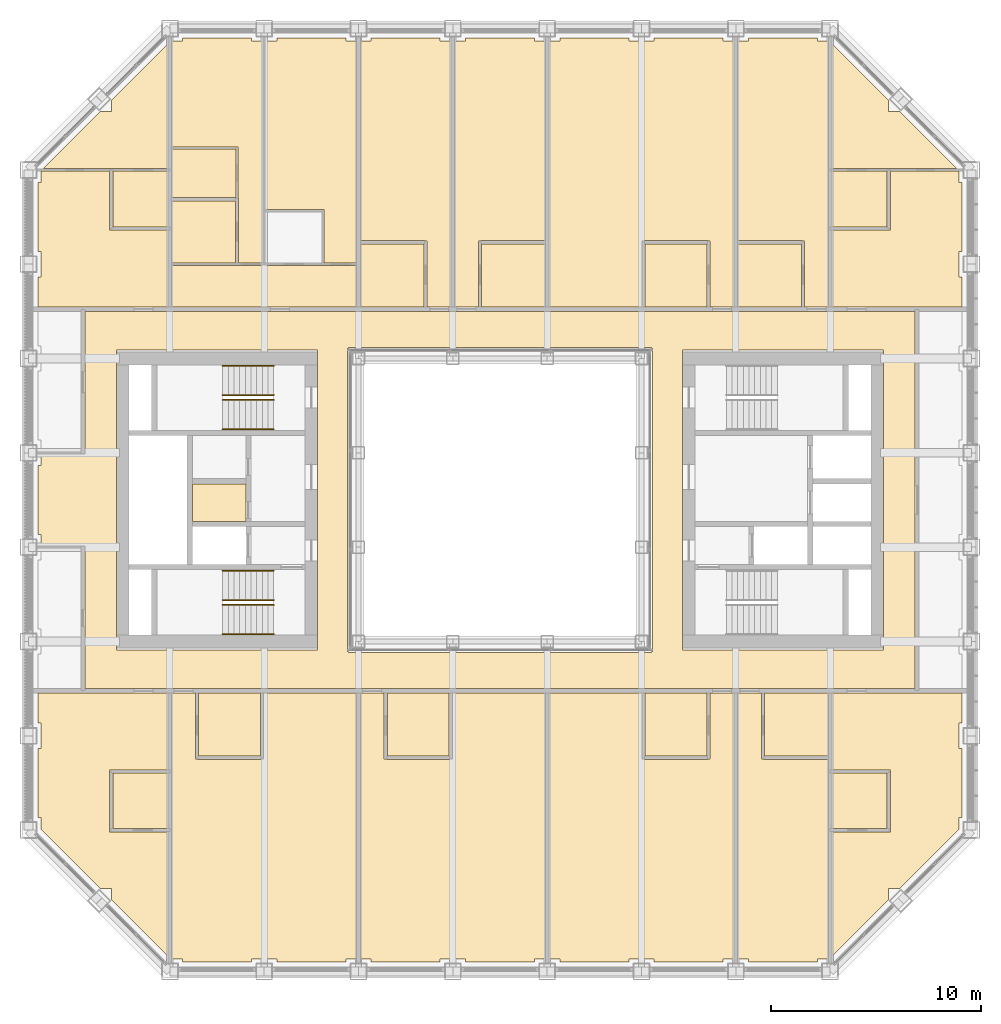
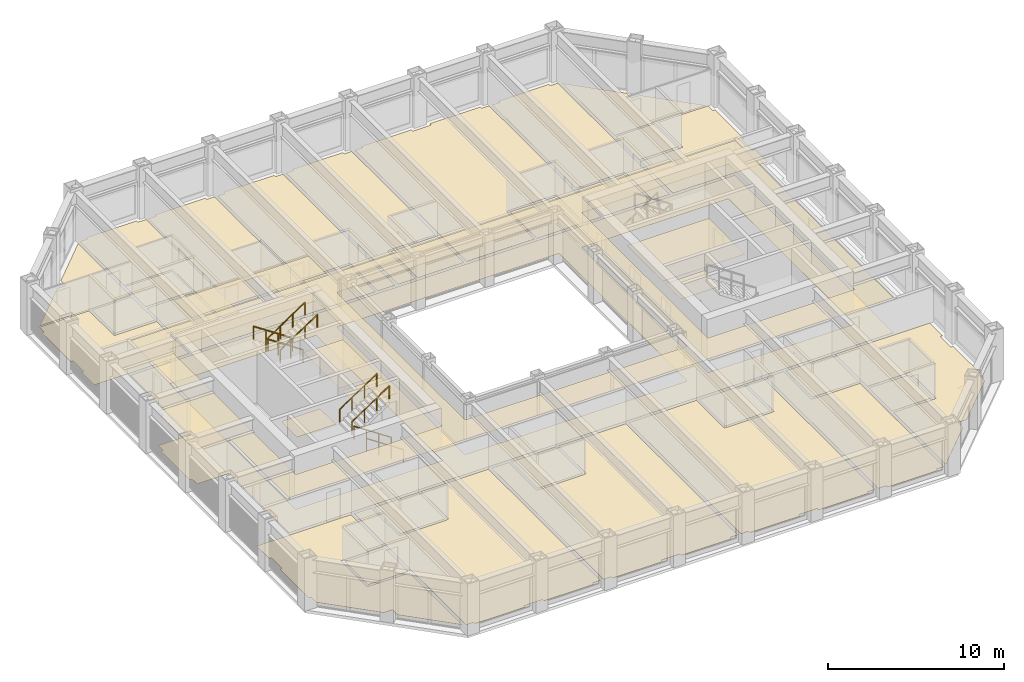
# One storey, part 15 of 17: 8 railings, 4 coverings.
"""IFC4 building model written with IfcOpenShell, lengths in metres."""

from ifc_helpers import new_model, si_unit, direction, frame, origin, origin_2d, place, context, subcontext, project, spatial, line, indexed_curve, circle, outline, extrude, material, layer, layer_set, type_object, element, save


model = new_model("IFC4")

# Units and contexts
model_context = context("Model", 3, precision=1e-05, world=origin(), true_north=direction((0.0, 1.0)))
body_context = subcontext(model_context, "Body", "Model", "MODEL_VIEW")
ifc_project = project(units=[si_unit("LENGTHUNIT", "METRE"), si_unit("AREAUNIT", "SQUARE_METRE"), si_unit("VOLUMEUNIT", "CUBIC_METRE"), si_unit("PLANEANGLEUNIT", "RADIAN"), si_unit("MASSUNIT", "GRAM", prefix="KILO")], contexts=[model_context])

# Site, building, storey
site_placement = place(None, origin())
site = spatial("IfcSite", under=ifc_project, at=site_placement, CompositionType="ELEMENT")
building_placement = place(site_placement, origin())
building = spatial("IfcBuilding", under=site, at=building_placement, Name="Msasa Ring Tower", CompositionType="ELEMENT")
storey_placement = place(building_placement, frame((0.0, 0.0, 176.0)))
storey = spatial("IfcBuildingStorey", under=building, at=storey_placement, Name="L46", CompositionType="ELEMENT", Elevation=176.0)

# Coverings
ifc_material_1 = material(Name="Gypsum plasterboard on a steel suspension grid", Category="steel")
ifc_layer_1 = layer(ifc_material_1, 0.014892578125)
ifc_layer_set_1 = layer_set([ifc_layer_1], Name="C1 SUSPENDED PLASTERBOARD CEILING 15")
covering_type_1 = type_object("IfcCoveringType", Name="C1 SUSPENDED PLASTERBOARD CEILING 15", PredefinedType="CEILING", material=ifc_layer_set_1)
covering_1_placement = place(storey_placement, frame((0.0, 0.0, 2.39990234375)))
element("IfcCovering", 1, at=covering_1_placement, inside=storey, type_object=covering_type_1, Name="Suspended Plasterboard Ceiling 15 circulation L46", PredefinedType="CEILING", context=body_context, shape_type="SweptSolid", body=[
    extrude(outline(indexed_curve([(-22.049560546875, 1.6494140625), (-21.8994140625, 1.6494140625), (-21.8994140625, 2.199462890625), (-19.799560546875, 2.199462890625), (-19.799560546875, 8.99951171875), (19.799560546875, 8.99951171875), (19.799560546875, -8.99951171875), (-19.799560546875, -8.99951171875), (-19.799560546875, -2.199462890625), (-21.8994140625, -2.199462890625), (-21.8994140625, -1.6494140625), (-22.049560546875, -1.6494140625)], segments=[line(1, 2, 3, 4, 5, 6, 7, 8, 9, 10, 11, 12, 1)], self_intersect=False), holes=[indexed_curve([(8.699462890625, -7.150390625), (18.300537109375, -7.150390625), (18.300537109375, 7.150390625), (8.699462890625, 7.150390625)], segments=[line(1, 2, 3, 4, 1)], self_intersect=False), indexed_curve([(-18.300537109375, 7.150390625), (-18.300537109375, -7.150390625), (-8.699462890625, -7.150390625), (-8.699462890625, 7.150390625)], segments=[line(1, 2, 3, 4, 1)], self_intersect=False), indexed_curve([(-7.280517578125, 7.23046875), (-7.280517578125, -7.23046875), (-7.22998046875, -7.23046875), (-7.22998046875, -7.280029296875), (7.22998046875, -7.280029296875), (7.22998046875, -7.23046875), (7.280517578125, -7.23046875), (7.280517578125, 7.23046875), (7.22998046875, 7.23046875), (7.22998046875, 7.280029296875), (-7.22998046875, 7.280029296875), (-7.22998046875, 7.23046875)], segments=[line(1, 2, 3, 4, 5, 6, 7, 8, 9, 10, 11, 12, 1)], self_intersect=False)]), origin(), (0.0, 0.0, 1.0), 0.01513671875),
    extrude(outline(indexed_curve([(-15.6494140625, 9.200439453125), (-15.6494140625, 11.199462890625), (-6.8505859375, 11.199462890625), (-6.8505859375, 9.200439453125)], segments=[line(1, 2, 3, 4, 1)], self_intersect=False)), origin(), (0.0, 0.0, 1.0), 0.01513671875),
    extrude(outline(indexed_curve([(-9.300537109375, -3.074462890625), (-11.87451171875, -3.074462890625), (-11.87451171875, -1.275390625), (-9.300537109375, -1.275390625)], segments=[line(1, 2, 3, 4, 1)], self_intersect=False)), origin(), (0.0, 0.0, 1.0), 0.01513671875),
    extrude(outline(indexed_curve([(-9.300537109375, -1.0244140625), (-11.87451171875, -1.0244140625), (-11.87451171875, 3.074462890625), (-9.300537109375, 3.074462890625)], segments=[line(1, 2, 3, 4, 1)], self_intersect=False)), origin(), (0.0, 0.0, 1.0), 0.01513671875),
    extrude(outline(indexed_curve([(9.300537109375, -3.074462890625), (9.300537109375, -1.275390625), (11.87451171875, -1.275390625), (11.87451171875, -3.074462890625)], segments=[line(1, 2, 3, 4, 1)], self_intersect=False)), origin(), (0.0, 0.0, 1.0), 0.01513671875),
    extrude(outline(indexed_curve([(9.300537109375, -1.0244140625), (9.300537109375, 3.074462890625), (14.674560546875, 3.074462890625), (14.674560546875, -1.0244140625)], segments=[line(1, 2, 3, 4, 1)], self_intersect=False)), origin(), (0.0, 0.0, 1.0), 0.01513671875),
])
ifc_material_2 = material(Name="Wool-blend carpet on felt underlay", Category="textile")
ifc_layer_2 = layer(ifc_material_2, 0.011962890625)
ifc_layer_set_2 = layer_set([ifc_layer_2], Name="F2 CARPET ON UNDERLAY 12")
covering_type_2 = type_object("IfcCoveringType", Name="F2 CARPET ON UNDERLAY 12", PredefinedType="FLOORING", material=ifc_layer_set_2)
covering_2_placement = place(storey_placement, origin())
element("IfcCovering", 2, at=covering_2_placement, inside=storey, type_object=covering_type_2, Name="Carpet On Underlay 12 L46", PredefinedType="FLOORING", context=body_context, shape_type="SweptSolid", body=[
    extrude(outline(indexed_curve([(-19.799560546875, 2.199951171875), (-19.799560546875, 8.99951171875), (19.799560546875, 8.99951171875), (19.799560546875, -8.99951171875), (-19.799560546875, -8.99951171875), (-19.799560546875, -2.199462890625), (-21.8994140625, -2.199462890625), (-21.8994140625, -1.6494140625), (-22.049560546875, -1.6494140625), (-22.049560546875, 1.6494140625), (-21.8994140625, 1.6494140625), (-21.8994140625, 2.199462890625)], segments=[line(1, 2, 3, 4, 5, 6, 7, 8, 9, 10, 11, 12, 1)], self_intersect=False), holes=[indexed_curve([(18.300537109375, -7.150390625), (18.300537109375, 7.150390625), (8.699462890625, 7.150390625), (8.699462890625, -7.150390625)], segments=[line(1, 2, 3, 4, 1)], self_intersect=False), indexed_curve([(-8.699462890625, -7.150390625), (-8.699462890625, 7.150390625), (-18.300537109375, 7.150390625), (-18.300537109375, -7.150390625)], segments=[line(1, 2, 3, 4, 1)], self_intersect=False), indexed_curve([(-7.280517578125, 7.23046875), (-7.280517578125, -7.23046875), (-7.22998046875, -7.23046875), (-7.22998046875, -7.280029296875), (7.22998046875, -7.280029296875), (7.22998046875, -7.23046875), (7.280517578125, -7.23046875), (7.280517578125, 7.23046875), (7.22998046875, 7.23046875), (7.22998046875, 7.280029296875), (-7.22998046875, 7.280029296875), (-7.22998046875, 7.23046875)], segments=[line(1, 2, 3, 4, 5, 6, 7, 8, 9, 10, 11, 12, 1)], self_intersect=False)]), origin(), (0.0, 0.0, 1.0), 0.011962890625),
    extrude(outline(indexed_curve([(-15.8505859375, 9.200439453125), (-22.049560546875, 9.200439453125), (-22.049560546875, 10.6494140625), (-21.8994140625, 10.6494140625), (-21.8994140625, 11.8505859375), (-22.049560546875, 11.8505859375), (-22.049560546875, 15.1494140625), (-21.8994140625, 15.1494140625), (-21.8994140625, 15.694580078125), (-18.630615234375, 15.694580078125), (-18.630615234375, 12.869384765625), (-15.8505859375, 12.869384765625)], segments=[line(1, 2, 3, 4, 5, 6, 7, 8, 9, 10, 11, 12, 1)], self_intersect=False)), origin(), (0.0, 0.0, 1.0), 0.011962890625),
    extrude(outline(indexed_curve([(-19.08837890625, 18.5244140625), (-18.5244140625, 18.5244140625), (-18.5244140625, 19.08837890625), (-15.8505859375, 21.762451171875), (-15.8505859375, 15.805419921875), (-21.807373046875, 15.805419921875)], segments=[line(1, 2, 3, 4, 5, 6, 1)], self_intersect=False)), origin(), (0.0, 0.0, 1.0), 0.011962890625),
    extrude(outline(indexed_curve([(-11.8505859375, 22.049560546875), (-11.8505859375, 21.8994140625), (-11.310546875, 21.8994140625), (-11.310546875, 11.300537109375), (-12.474609375, 11.300537109375), (-12.474609375, 14.39990234375), (-12.49951171875, 14.39990234375), (-12.49951171875, 16.8505859375), (-15.662109375, 16.8505859375), (-15.662109375, 21.8994140625), (-15.1494140625, 21.8994140625), (-15.1494140625, 22.049560546875)], segments=[line(1, 2, 3, 4, 5, 6, 7, 8, 9, 10, 11, 12, 1)], self_intersect=False)), origin(), (0.0, 0.0, 1.0), 0.011962890625),
    extrude(outline(indexed_curve([(-12.6005859375, 16.744384765625), (-12.6005859375, 14.430419921875), (-15.662109375, 14.430419921875), (-15.662109375, 16.744384765625)], segments=[line(1, 2, 3, 4, 1)], self_intersect=False)), origin(), (0.0, 0.0, 1.0), 0.011962890625),
    extrude(outline(indexed_curve([(-15.6494140625, 11.199462890625), (-6.8505859375, 11.199462890625), (-6.8505859375, 9.200439453125), (-15.6494140625, 9.200439453125)], segments=[line(1, 2, 3, 4, 1)], self_intersect=False)), origin(), (0.0, 0.0, 1.0), 0.011962890625),
    extrude(outline(indexed_curve([(-8.3994140625, 11.300537109375), (-8.3994140625, 13.8505859375), (-11.189453125, 13.8505859375), (-11.189453125, 21.8994140625), (-10.6494140625, 21.8994140625), (-10.6494140625, 22.049560546875), (-7.3505859375, 22.049560546875), (-7.3505859375, 21.8994140625), (-6.837890625, 21.8994140625), (-6.837890625, 11.300537109375)], segments=[line(1, 2, 3, 4, 5, 6, 7, 8, 9, 10, 1)], self_intersect=False)), origin(), (0.0, 0.0, 1.0), 0.011962890625),
    extrude(outline(indexed_curve([(-2.8505859375, 22.049560546875), (-2.8505859375, 21.8994140625), (-2.3505859375, 21.8994140625), (-2.3505859375, 9.200439453125), (-3.474609375, 9.200439453125), (-3.474609375, 12.35009765625), (-3.60009765625, 12.3505859375), (-3.60009765625, 12.37548828125), (-6.6494140625, 12.37548828125), (-6.6494140625, 21.8994140625), (-6.1494140625, 21.8994140625), (-6.1494140625, 22.049560546875)], segments=[line(1, 2, 3, 4, 5, 6, 7, 8, 9, 10, 11, 12, 1)], self_intersect=False)), origin(), (0.0, 0.0, 1.0), 0.011962890625),
    extrude(outline(indexed_curve([(-2.1494140625, 21.8994140625), (-1.6494140625, 21.8994140625), (-1.6494140625, 22.049560546875), (1.6494140625, 22.049560546875), (1.6494140625, 21.8994140625), (2.1494140625, 21.8994140625), (2.1494140625, 12.37548828125), (-0.89990234375, 12.37548828125), (-0.89990234375, 12.3505859375), (-1.025390625, 12.35009765625), (-1.025390625, 9.200439453125), (-2.1494140625, 9.200439453125)], segments=[line(1, 2, 3, 4, 5, 6, 7, 8, 9, 10, 11, 12, 1)], self_intersect=False)), origin(), (0.0, 0.0, 1.0), 0.011962890625),
    extrude(outline(indexed_curve([(11.8505859375, -22.049560546875), (11.8505859375, -21.8994140625), (11.3505859375, -21.8994140625), (11.3505859375, -9.200439453125), (12.474609375, -9.200439453125), (12.474609375, -12.35009765625), (12.60009765625, -12.3505859375), (12.60009765625, -12.37548828125), (15.6494140625, -12.37548828125), (15.6494140625, -21.8994140625), (15.1494140625, -21.8994140625), (15.1494140625, -22.049560546875)], segments=[line(1, 2, 3, 4, 5, 6, 7, 8, 9, 10, 11, 12, 1)], self_intersect=False)), origin(), (0.0, 0.0, 1.0), 0.011962890625),
    extrude(outline(indexed_curve([(15.6494140625, 9.200439453125), (14.525390625, 9.200439453125), (14.525390625, 12.35009765625), (14.39990234375, 12.3505859375), (14.39990234375, 12.37548828125), (11.3505859375, 12.37548828125), (11.3505859375, 21.8994140625), (11.8505859375, 21.8994140625), (11.8505859375, 22.049560546875), (15.1494140625, 22.049560546875), (15.1494140625, 21.8994140625), (15.6494140625, 21.8994140625)], segments=[line(1, 2, 3, 4, 5, 6, 7, 8, 9, 10, 11, 12, 1)], self_intersect=False)), origin(), (0.0, 0.0, 1.0), 0.011962890625),
    extrude(outline(indexed_curve([(22.049560546875, 11.8505859375), (21.8994140625, 11.8505859375), (21.8994140625, 10.6494140625), (22.049560546875, 10.6494140625), (22.049560546875, 9.200439453125), (15.8505859375, 9.200439453125), (15.8505859375, 12.869384765625), (18.630615234375, 12.869384765625), (18.630615234375, 15.694580078125), (21.8994140625, 15.694580078125), (21.8994140625, 15.1494140625), (22.049560546875, 15.1494140625)], segments=[line(1, 2, 3, 4, 5, 6, 7, 8, 9, 10, 11, 12, 1)], self_intersect=False)), origin(), (0.0, 0.0, 1.0), 0.011962890625),
    extrude(outline(indexed_curve([(15.8505859375, 15.805419921875), (15.8505859375, 21.762451171875), (18.5244140625, 19.08837890625), (18.5244140625, 18.5244140625), (19.08837890625, 18.5244140625), (21.807373046875, 15.805419921875)], segments=[line(1, 2, 3, 4, 5, 6, 1)], self_intersect=False)), origin(), (0.0, 0.0, 1.0), 0.011962890625),
])
ifc_material_3 = material(Name="Engineered oak boards on an acoustic underlay", Category="wood")
ifc_layer_3 = layer(ifc_material_3, 0.01806640625)
ifc_layer_set_3 = layer_set([ifc_layer_3], Name="F3 ENGINEERED TIMBER ON ACOUSTIC UNDERLAY 18")
covering_type_3 = type_object("IfcCoveringType", Name="F3 ENGINEERED TIMBER ON ACOUSTIC UNDERLAY 18", PredefinedType="FLOORING", material=ifc_layer_set_3)
covering_3_placement = place(storey_placement, origin())
element("IfcCovering", 3, at=covering_3_placement, inside=storey, type_object=covering_type_3, Name="Engineered Timber On Acoustic Underlay 18 L46", PredefinedType="FLOORING", context=body_context, shape_type="SweptSolid", body=[
    extrude(outline(indexed_curve([(-15.8505859375, -15.83056640625), (-15.8505859375, -21.762451171875), (-18.5244140625, -19.08837890625), (-18.5244140625, -18.5244140625), (-19.08837890625, -18.5244140625), (-21.8994140625, -15.71337890625), (-21.8994140625, -15.1494140625), (-22.049560546875, -15.1494140625), (-22.049560546875, -11.8505859375), (-21.8994140625, -11.8505859375), (-21.8994140625, -10.6494140625), (-22.049560546875, -10.6494140625), (-22.049560546875, -9.200439453125), (-15.8505859375, -9.200439453125), (-15.8505859375, -12.869384765625), (-18.630615234375, -12.869384765625), (-18.630615234375, -15.83056640625)], segments=[line(1, 2, 3, 4, 5, 6, 7, 8, 9, 10, 11, 12, 13, 14, 15, 16, 17, 1)], self_intersect=False)), origin(), (0.0, 0.0, 1.0), 0.01806640625),
    extrude(outline(indexed_curve([(-14.525390625, -9.200439453125), (-14.525390625, -12.35009765625), (-14.39990234375, -12.3505859375), (-14.39990234375, -12.37548828125), (-11.39990234375, -12.37548828125), (-11.39990234375, -12.3505859375), (-11.2744140625, -12.35009765625), (-11.2744140625, -9.200439453125), (-6.8505859375, -9.200439453125), (-6.8505859375, -21.8994140625), (-7.3505859375, -21.8994140625), (-7.3505859375, -22.049560546875), (-10.6494140625, -22.049560546875), (-10.6494140625, -21.8994140625), (-11.8505859375, -21.8994140625), (-11.8505859375, -22.049560546875), (-15.1494140625, -22.049560546875), (-15.1494140625, -21.8994140625), (-15.6494140625, -21.8994140625), (-15.6494140625, -9.200439453125)], segments=[line(1, 2, 3, 4, 5, 6, 7, 8, 9, 10, 11, 12, 13, 14, 15, 16, 17, 18, 19, 20, 1)], self_intersect=False)), origin(), (0.0, 0.0, 1.0), 0.01806640625),
    extrude(outline(indexed_curve([(-5.39990234375, -12.3505859375), (-5.39990234375, -12.37548828125), (-2.39990234375, -12.37548828125), (-2.39990234375, -12.3505859375), (-2.2744140625, -12.35009765625), (-2.2744140625, -9.200439453125), (2.1494140625, -9.200439453125), (2.1494140625, -21.8994140625), (1.6494140625, -21.8994140625), (1.6494140625, -22.049560546875), (-1.6494140625, -22.049560546875), (-1.6494140625, -21.8994140625), (-2.8505859375, -21.8994140625), (-2.8505859375, -22.049560546875), (-6.1494140625, -22.049560546875), (-6.1494140625, -21.8994140625), (-6.6494140625, -21.8994140625), (-6.6494140625, -9.200439453125), (-5.525390625, -9.200439453125), (-5.525390625, -12.35009765625)], segments=[line(1, 2, 3, 4, 5, 6, 7, 8, 9, 10, 11, 12, 13, 14, 15, 16, 17, 18, 19, 20, 1)], self_intersect=False)), origin(), (0.0, 0.0, 1.0), 0.01806640625),
    extrude(outline(indexed_curve([(6.89990234375, -12.3505859375), (6.89990234375, -12.37548828125), (9.89990234375, -12.37548828125), (9.89990234375, -12.3505859375), (10.025390625, -12.35009765625), (10.025390625, -9.200439453125), (11.1494140625, -9.200439453125), (11.1494140625, -21.8994140625), (10.6494140625, -21.8994140625), (10.6494140625, -22.049560546875), (7.3505859375, -22.049560546875), (7.3505859375, -21.8994140625), (6.1494140625, -21.8994140625), (6.1494140625, -22.049560546875), (2.8505859375, -22.049560546875), (2.8505859375, -21.8994140625), (2.3505859375, -21.8994140625), (2.3505859375, -9.200439453125), (6.7744140625, -9.200439453125), (6.7744140625, -12.35009765625)], segments=[line(1, 2, 3, 4, 5, 6, 7, 8, 9, 10, 11, 12, 13, 14, 15, 16, 17, 18, 19, 20, 1)], self_intersect=False)), origin(), (0.0, 0.0, 1.0), 0.01806640625),
    extrude(outline(indexed_curve([(9.89990234375, 12.3505859375), (9.89990234375, 12.37548828125), (6.89990234375, 12.37548828125), (6.89990234375, 12.3505859375), (6.7744140625, 12.35009765625), (6.7744140625, 9.200439453125), (2.3505859375, 9.200439453125), (2.3505859375, 21.8994140625), (2.8505859375, 21.8994140625), (2.8505859375, 22.049560546875), (6.1494140625, 22.049560546875), (6.1494140625, 21.8994140625), (7.3505859375, 21.8994140625), (7.3505859375, 22.049560546875), (10.6494140625, 22.049560546875), (10.6494140625, 21.8994140625), (11.1494140625, 21.8994140625), (11.1494140625, 9.200439453125), (10.025390625, 9.200439453125), (10.025390625, 12.35009765625)], segments=[line(1, 2, 3, 4, 5, 6, 7, 8, 9, 10, 11, 12, 13, 14, 15, 16, 17, 18, 19, 20, 1)], self_intersect=False)), origin(), (0.0, 0.0, 1.0), 0.01806640625),
    extrude(outline(indexed_curve([(18.630615234375, -12.869384765625), (15.8505859375, -12.869384765625), (15.8505859375, -9.200439453125), (22.049560546875, -9.200439453125), (22.049560546875, -10.6494140625), (21.8994140625, -10.6494140625), (21.8994140625, -11.8505859375), (22.049560546875, -11.8505859375), (22.049560546875, -15.1494140625), (21.8994140625, -15.1494140625), (21.8994140625, -15.71337890625), (19.08837890625, -18.5244140625), (18.5244140625, -18.5244140625), (18.5244140625, -19.08837890625), (15.8505859375, -21.762451171875), (15.8505859375, -15.83056640625), (18.630615234375, -15.83056640625)], segments=[line(1, 2, 3, 4, 5, 6, 7, 8, 9, 10, 11, 12, 13, 14, 15, 16, 17, 1)], self_intersect=False)), origin(), (0.0, 0.0, 1.0), 0.01806640625),
])
ifc_material_4 = material(Name="Porcelain floor tiles in adhesive", Category="ceramic")
ifc_layer_4 = layer(ifc_material_4, 0.010009765625)
ifc_layer_set_4 = layer_set([ifc_layer_4], Name="F4 PORCELAIN TILE ON ADHESIVE 10")
covering_type_4 = type_object("IfcCoveringType", Name="F4 PORCELAIN TILE ON ADHESIVE 10", PredefinedType="FLOORING", material=ifc_layer_set_4)
covering_4_placement = place(storey_placement, origin())
element("IfcCovering", 4, at=covering_4_placement, inside=storey, type_object=covering_type_4, Name="Porcelain Tile On Adhesive 10 L46", PredefinedType="FLOORING", context=body_context, shape_type="SweptSolid", body=[
    extrude(outline(indexed_curve([(-18.469482421875, -13.030517578125), (-15.8505859375, -13.030517578125), (-15.8505859375, -15.66943359375), (-18.469482421875, -15.66943359375)], segments=[line(1, 2, 3, 4, 1)], self_intersect=False)), origin(), (0.0, 0.0, 1.0), 0.010009765625),
    extrude(outline(indexed_curve([(-15.8505859375, 15.694580078125), (-15.8505859375, 13.030517578125), (-18.469482421875, 13.030517578125), (-18.469482421875, 15.694580078125)], segments=[line(1, 2, 3, 4, 1)], self_intersect=False)), origin(), (0.0, 0.0, 1.0), 0.010009765625),
    extrude(outline(indexed_curve([(-15.662109375, 11.300537109375), (-15.662109375, 14.2744140625), (-12.62548828125, 14.2744140625), (-12.62548828125, 11.300537109375)], segments=[line(1, 2, 3, 4, 1)], self_intersect=False)), origin(), (0.0, 0.0, 1.0), 0.010009765625),
    extrude(outline(indexed_curve([(-12.12548828125, -1.0244140625), (-14.674560546875, -1.0244140625), (-14.674560546875, 0.7744140625), (-12.12548828125, 0.7744140625)], segments=[line(1, 2, 3, 4, 1)], self_intersect=False)), origin(), (0.0, 0.0, 1.0), 0.010009765625),
    extrude(outline(indexed_curve([(-11.425537109375, -9.200439453125), (-11.425537109375, -12.224609375), (-14.37451171875, -12.224609375), (-14.37451171875, -9.200439453125)], segments=[line(1, 2, 3, 4, 1)], self_intersect=False)), origin(), (0.0, 0.0, 1.0), 0.010009765625),
    extrude(outline(indexed_curve([(-6.6494140625, 9.200439453125), (-6.6494140625, 12.224609375), (-3.62548828125, 12.224609375), (-3.62548828125, 9.200439453125)], segments=[line(1, 2, 3, 4, 1)], self_intersect=False)), origin(), (0.0, 0.0, 1.0), 0.010009765625),
    extrude(outline(indexed_curve([(-2.425537109375, -9.200439453125), (-2.425537109375, -12.224609375), (-5.37451171875, -12.224609375), (-5.37451171875, -9.200439453125)], segments=[line(1, 2, 3, 4, 1)], self_intersect=False)), origin(), (0.0, 0.0, 1.0), 0.010009765625),
    extrude(outline(indexed_curve([(2.1494140625, 9.200439453125), (-0.87451171875, 9.200439453125), (-0.87451171875, 12.224609375), (2.1494140625, 12.224609375)], segments=[line(1, 2, 3, 4, 1)], self_intersect=False)), origin(), (0.0, 0.0, 1.0), 0.010009765625),
    extrude(outline(indexed_curve([(9.87451171875, -9.200439453125), (9.87451171875, -12.224609375), (6.925537109375, -12.224609375), (6.925537109375, -9.200439453125)], segments=[line(1, 2, 3, 4, 1)], self_intersect=False)), origin(), (0.0, 0.0, 1.0), 0.010009765625),
    extrude(outline(indexed_curve([(6.925537109375, 9.200439453125), (6.925537109375, 12.224609375), (9.87451171875, 12.224609375), (9.87451171875, 9.200439453125)], segments=[line(1, 2, 3, 4, 1)], self_intersect=False)), origin(), (0.0, 0.0, 1.0), 0.010009765625),
    extrude(outline(indexed_curve([(11.3505859375, 9.200439453125), (11.3505859375, 12.224609375), (14.37451171875, 12.224609375), (14.37451171875, 9.200439453125)], segments=[line(1, 2, 3, 4, 1)], self_intersect=False)), origin(), (0.0, 0.0, 1.0), 0.010009765625),
    extrude(outline(indexed_curve([(15.6494140625, -9.200439453125), (15.6494140625, -12.224609375), (12.62548828125, -12.224609375), (12.62548828125, -9.200439453125)], segments=[line(1, 2, 3, 4, 1)], self_intersect=False)), origin(), (0.0, 0.0, 1.0), 0.010009765625),
    extrude(outline(indexed_curve([(15.8505859375, -13.030517578125), (18.469482421875, -13.030517578125), (18.469482421875, -15.66943359375), (15.8505859375, -15.66943359375)], segments=[line(1, 2, 3, 4, 1)], self_intersect=False)), origin(), (0.0, 0.0, 1.0), 0.010009765625),
    extrude(outline(indexed_curve([(18.469482421875, 15.694580078125), (18.469482421875, 13.030517578125), (15.8505859375, 13.030517578125), (15.8505859375, 15.694580078125)], segments=[line(1, 2, 3, 4, 1)], self_intersect=False)), origin(), (0.0, 0.0, 1.0), 0.010009765625),
])

# Railings
ifc_material_5 = material(Name="Stainless steel", Category="steel")
railing_type = type_object("IfcRailingType", Name="HR1 HANDRAIL 900", PredefinedType="HANDRAIL", material=ifc_material_5)
for number, where, name in (
    (5, (-10.800048828125, -6.39990234375, 0.179931640625), "Handrail stair SWA L46 1"),
    (6, (-10.800048828125, -5.0, 0.179931640625), "Handrail stair SWA L46 2"),
):
    element("IfcRailing", number, at=place(storey_placement, frame(where)), inside=storey, type_object=railing_type, Name=name, PredefinedType="HANDRAIL", context=body_context, shape_type="SweptSolid", body=[
        extrude(circle(Radius=0.02392578125, at=origin_2d()), frame((0.0, 0.0, 0.8759765625), z_axis=(-0.832024571796, 0.0, 0.554738778101), x_axis=(0.0, -1.0, 0.0)), (0.0, 0.0, 1.0), 2.92041015625),
        extrude(circle(Radius=0.02099609375, at=origin_2d()), origin(), (0.0, 0.0, 1.0), 0.851806640625),
        extrude(circle(Radius=0.02099609375, at=origin_2d()), frame((-0.81005859375, 0.0, 0.5400390625)), (0.0, 0.0, 1.0), 0.851806640625),
        extrude(circle(Radius=0.02099609375, at=origin_2d()), frame((-1.619873046875, 0.0, 1.080078125)), (0.0, 0.0, 1.0), 0.851806640625),
        extrude(circle(Radius=0.02099609375, at=origin_2d()), frame((-2.429931640625, 0.0, 1.6201171875)), (0.0, 0.0, 1.0), 0.851806640625),
    ])
for number, where, name in (
    (7, (-13.22998046875, -4.77490234375, 1.97998046875), "Handrail stair SWA L46 3"),
    (8, (-13.22998046875, -3.375, 1.97998046875), "Handrail stair SWA L46 4"),
):
    element("IfcRailing", number, at=place(storey_placement, frame(where)), inside=storey, type_object=railing_type, Name=name, PredefinedType="HANDRAIL", context=body_context, shape_type="SweptSolid", body=[
        extrude(circle(Radius=0.02392578125, at=origin_2d()), frame((0.0, 0.0, 0.8759765625), z_axis=(0.832024571796, 0.0, 0.554738778101), x_axis=(0.0, 1.0, 0.0)), (0.0, 0.0, 1.0), 2.92041015625),
        extrude(circle(Radius=0.02099609375, at=origin_2d()), origin(), (0.0, 0.0, 1.0), 0.851806640625),
        extrude(circle(Radius=0.02099609375, at=origin_2d()), frame((0.81005859375, 0.0, 0.5400390625)), (0.0, 0.0, 1.0), 0.851806640625),
        extrude(circle(Radius=0.02099609375, at=origin_2d()), frame((1.619873046875, 0.0, 1.080078125)), (0.0, 0.0, 1.0), 0.851806640625),
        extrude(circle(Radius=0.02099609375, at=origin_2d()), frame((2.429931640625, 0.0, 1.6201171875)), (0.0, 0.0, 1.0), 0.851806640625),
    ])
for number, where, name in (
    (9, (-10.800048828125, 5.0, 0.179931640625), "Handrail stair SWB L46 1"),
    (10, (-10.800048828125, 6.39990234375, 0.179931640625), "Handrail stair SWB L46 2"),
):
    element("IfcRailing", number, at=place(storey_placement, frame(where)), inside=storey, type_object=railing_type, Name=name, PredefinedType="HANDRAIL", context=body_context, shape_type="SweptSolid", body=[
        extrude(circle(Radius=0.02392578125, at=origin_2d()), frame((0.0, 0.0, 0.8759765625), z_axis=(-0.832024571796, 0.0, 0.554738778101), x_axis=(0.0, -1.0, 0.0)), (0.0, 0.0, 1.0), 2.92041015625),
        extrude(circle(Radius=0.02099609375, at=origin_2d()), origin(), (0.0, 0.0, 1.0), 0.851806640625),
        extrude(circle(Radius=0.02099609375, at=origin_2d()), frame((-0.81005859375, 0.0, 0.5400390625)), (0.0, 0.0, 1.0), 0.851806640625),
        extrude(circle(Radius=0.02099609375, at=origin_2d()), frame((-1.619873046875, 0.0, 1.080078125)), (0.0, 0.0, 1.0), 0.851806640625),
        extrude(circle(Radius=0.02099609375, at=origin_2d()), frame((-2.429931640625, 0.0, 1.6201171875)), (0.0, 0.0, 1.0), 0.851806640625),
    ])
for number, where, name in (
    (11, (-13.22998046875, 3.375, 1.97998046875), "Handrail stair SWB L46 3"),
    (12, (-13.22998046875, 4.77490234375, 1.97998046875), "Handrail stair SWB L46 4"),
):
    element("IfcRailing", number, at=place(storey_placement, frame(where)), inside=storey, type_object=railing_type, Name=name, PredefinedType="HANDRAIL", context=body_context, shape_type="SweptSolid", body=[
        extrude(circle(Radius=0.02392578125, at=origin_2d()), frame((0.0, 0.0, 0.8759765625), z_axis=(0.832024571796, 0.0, 0.554738778101), x_axis=(0.0, 1.0, 0.0)), (0.0, 0.0, 1.0), 2.92041015625),
        extrude(circle(Radius=0.02099609375, at=origin_2d()), origin(), (0.0, 0.0, 1.0), 0.851806640625),
        extrude(circle(Radius=0.02099609375, at=origin_2d()), frame((0.81005859375, 0.0, 0.5400390625)), (0.0, 0.0, 1.0), 0.851806640625),
        extrude(circle(Radius=0.02099609375, at=origin_2d()), frame((1.619873046875, 0.0, 1.080078125)), (0.0, 0.0, 1.0), 0.851806640625),
        extrude(circle(Radius=0.02099609375, at=origin_2d()), frame((2.429931640625, 0.0, 1.6201171875)), (0.0, 0.0, 1.0), 0.851806640625),
    ])

save(model, "model.ifc")
